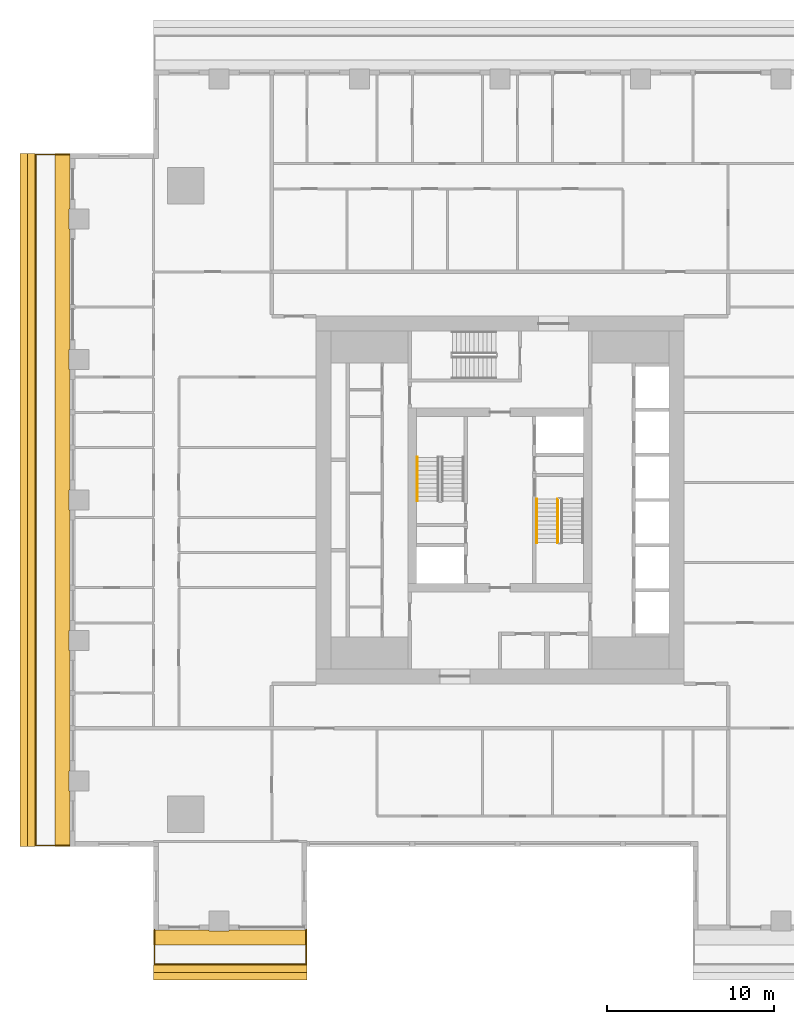
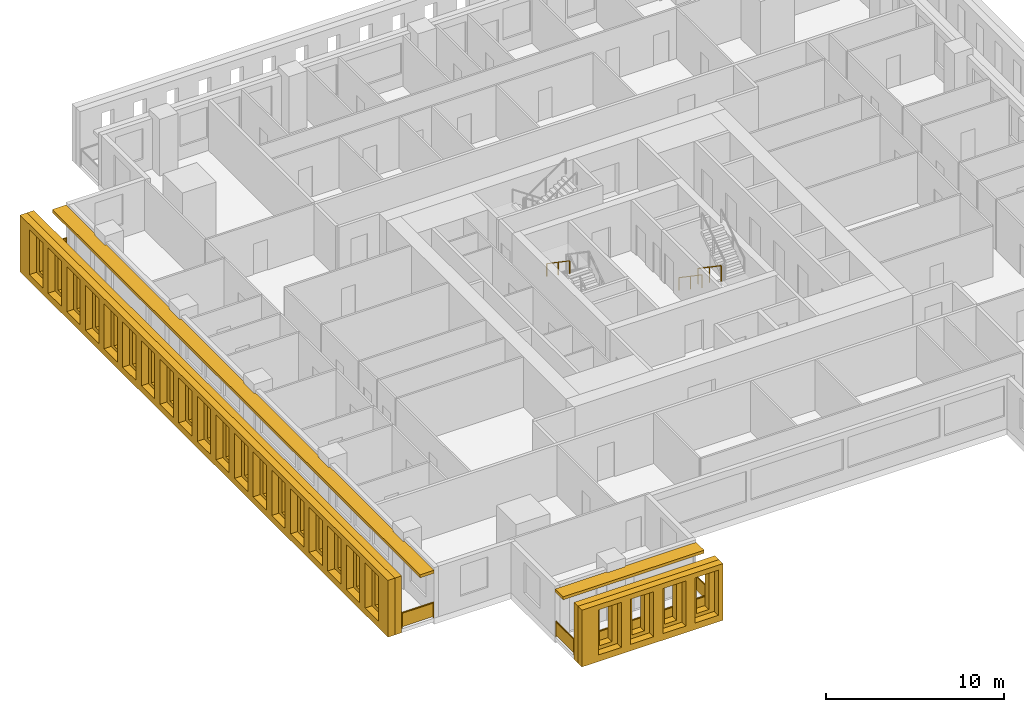
# One storey, part 10 of 14: 6 shading devices, 5 railings.
"""IFC4 building model written with IfcOpenShell, lengths in metres."""

from ifc_helpers import new_model, si_unit, direction, frame, origin, origin_2d, place, context, subcontext, project, spatial, polyline, rectangle, outline, extrude, material, layer, layer_set, type_object, element, save


model = new_model("IFC4")

# Units and contexts
model_context = context("Model", 3, precision=1e-05, world=origin(), true_north=direction((0.0, 1.0)))
body_context = subcontext(model_context, "Body", "Model", "MODEL_VIEW")
ifc_project = project(units=[si_unit("LENGTHUNIT", "METRE"), si_unit("AREAUNIT", "SQUARE_METRE"), si_unit("VOLUMEUNIT", "CUBIC_METRE"), si_unit("PLANEANGLEUNIT", "RADIAN"), si_unit("MASSUNIT", "GRAM", prefix="KILO")], contexts=[model_context])

# Site, building, storey
site_placement = place(None, origin())
site = spatial("IfcSite", under=ifc_project, at=site_placement, CompositionType="ELEMENT")
building_placement = place(site_placement, origin())
building = spatial("IfcBuilding", under=site, at=building_placement, Name="Khepri Terraces", CompositionType="ELEMENT")
storey_placement = place(building_placement, frame((0.0, 0.0, 275.699951171875)))
storey = spatial("IfcBuildingStorey", under=building, at=storey_placement, Name="L66", CompositionType="ELEMENT", Elevation=275.699951171875)

# Railings
ifc_material_1 = material(Name="Stainless steel grade 316", Category="steel")
railing_type_1 = type_object("IfcRailingType", Name="GRD-BAL-1100", PredefinedType="GUARDRAIL", material=ifc_material_1)
railing_1_placement = place(storey_placement, frame((-20.669921875, -25.719970703125, 0.0)))
element("IfcRailing", 1, at=railing_1_placement, inside=storey, type_object=railing_type_1, Name="Balcony guard L66 S", PredefinedType="GUARDRAIL", context=body_context, shape_type="SweptSolid", body=[
    extrude(rectangle(XDim=0.050048828125, YDim=0.06005859375, at=origin_2d()), frame((0.0, 0.0, 1.070068359375), z_axis=(0.0, -1.0, 0.0), x_axis=(1.0, 0.0, 0.0)), (0.0, 0.0, 1.0), 2.050048828125),
    extrude(rectangle(XDim=2.0, YDim=0.011962890625, at=origin_2d()), frame((0.0, -1.02490234375, 0.10009765625), z_axis=(0.0, 0.0, 1.0), x_axis=(0.0, -1.0, 0.0)), (0.0, 0.0, 1.0), 0.93994140625),
    extrude(rectangle(XDim=0.050048828125, YDim=0.06005859375, at=origin_2d()), frame((0.0, -2.050048828125, 1.070068359375), z_axis=(1.0, 0.0, 0.0), x_axis=(0.0, 1.0, 0.0)), (0.0, 0.0, 1.0), 9.06982421875),
    extrude(rectangle(XDim=2.21728515625, YDim=0.011962890625, at=origin_2d()), frame((1.1337890625, -2.050048828125, 0.10009765625), z_axis=(0.0, 0.0, 1.0), x_axis=(1.0, 0.0, 0.0)), (0.0, 0.0, 1.0), 0.93994140625),
    extrude(rectangle(XDim=2.21728515625, YDim=0.011962890625, at=origin_2d()), frame((3.401123046875, -2.050048828125, 0.10009765625), z_axis=(0.0, 0.0, 1.0), x_axis=(1.0, 0.0, 0.0)), (0.0, 0.0, 1.0), 0.93994140625),
    extrude(rectangle(XDim=2.21728515625, YDim=0.011962890625, at=origin_2d()), frame((5.668701171875, -2.050048828125, 0.10009765625), z_axis=(0.0, 0.0, 1.0), x_axis=(1.0, 0.0, 0.0)), (0.0, 0.0, 1.0), 0.93994140625),
    extrude(rectangle(XDim=2.21728515625, YDim=0.011962890625, at=origin_2d()), frame((7.93603515625, -2.050048828125, 0.10009765625), z_axis=(0.0, 0.0, 1.0), x_axis=(1.0, 0.0, 0.0)), (0.0, 0.0, 1.0), 0.93994140625),
    extrude(rectangle(XDim=0.050048828125, YDim=0.06005859375, at=origin_2d()), frame((9.06982421875, -2.050048828125, 1.070068359375), z_axis=(0.0, 1.0, 0.0), x_axis=(-1.0, 0.0, 0.0)), (0.0, 0.0, 1.0), 2.050048828125),
    extrude(rectangle(XDim=2.0, YDim=0.011962890625, at=origin_2d()), frame((9.06982421875, -1.02490234375, 0.10009765625), z_axis=(0.0, 0.0, 1.0), x_axis=(0.0, 1.0, 0.0)), (0.0, 0.0, 1.0), 0.93994140625),
    extrude(rectangle(XDim=0.050048828125, YDim=0.050048828125, at=origin_2d()), origin(), (0.0, 0.0, 1.0), 1.0400390625),
    extrude(rectangle(XDim=0.050048828125, YDim=0.050048828125, at=origin_2d()), frame((0.0, -2.050048828125, 0.0)), (0.0, 0.0, 1.0), 1.0400390625),
    extrude(rectangle(XDim=0.050048828125, YDim=0.050048828125, at=origin_2d()), frame((2.267578125, -2.050048828125, 0.0)), (0.0, 0.0, 1.0), 1.0400390625),
    extrude(rectangle(XDim=0.050048828125, YDim=0.050048828125, at=origin_2d()), frame((4.534912109375, -2.050048828125, 0.0)), (0.0, 0.0, 1.0), 1.0400390625),
    extrude(rectangle(XDim=0.050048828125, YDim=0.050048828125, at=origin_2d()), frame((6.80224609375, -2.050048828125, 0.0)), (0.0, 0.0, 1.0), 1.0400390625),
    extrude(rectangle(XDim=0.050048828125, YDim=0.050048828125, at=origin_2d()), frame((9.06982421875, -2.050048828125, 0.0)), (0.0, 0.0, 1.0), 1.0400390625),
    extrude(rectangle(XDim=0.050048828125, YDim=0.050048828125, at=origin_2d()), frame((9.06982421875, 0.0, 0.0)), (0.0, 0.0, 1.0), 1.0400390625),
])
railing_2_placement = place(storey_placement, frame((-25.719970703125, 20.669921875, 0.0)))
element("IfcRailing", 2, at=railing_2_placement, inside=storey, type_object=railing_type_1, Name="Balcony guard L66 W", PredefinedType="GUARDRAIL", context=body_context, shape_type="SweptSolid", body=[
    extrude(rectangle(XDim=0.050048828125, YDim=0.06005859375, at=origin_2d()), frame((0.0, 0.0, 1.070068359375), z_axis=(-1.0, 0.0, 0.0), x_axis=(0.0, -1.0, 0.0)), (0.0, 0.0, 1.0), 2.050048828125),
    extrude(rectangle(XDim=2.0, YDim=0.011962890625, at=origin_2d()), frame((-1.02490234375, 0.0, 0.10009765625), z_axis=(0.0, 0.0, 1.0), x_axis=(-1.0, 0.0, 0.0)), (0.0, 0.0, 1.0), 0.93994140625),
    extrude(rectangle(XDim=0.050048828125, YDim=0.06005859375, at=origin_2d()), frame((-2.050048828125, 0.0, 1.070068359375), z_axis=(0.0, -1.0, 0.0), x_axis=(1.0, 0.0, 0.0)), (0.0, 0.0, 1.0), 41.33984375),
    extrude(rectangle(XDim=2.24658203125, YDim=0.011962890625, at=origin_2d()), frame((-2.050048828125, -1.1484375, 0.10009765625), z_axis=(0.0, 0.0, 1.0), x_axis=(0.0, -1.0, 0.0)), (0.0, 0.0, 1.0), 0.93994140625),
    extrude(rectangle(XDim=2.24658203125, YDim=0.011962890625, at=origin_2d()), frame((-2.050048828125, -3.445068359375, 0.10009765625), z_axis=(0.0, 0.0, 1.0), x_axis=(0.0, -1.0, 0.0)), (0.0, 0.0, 1.0), 0.93994140625),
    extrude(rectangle(XDim=2.24658203125, YDim=0.011962890625, at=origin_2d()), frame((-2.050048828125, -5.74169921875, 0.10009765625), z_axis=(0.0, 0.0, 1.0), x_axis=(0.0, -1.0, 0.0)), (0.0, 0.0, 1.0), 0.93994140625),
    extrude(rectangle(XDim=2.24658203125, YDim=0.011962890625, at=origin_2d()), frame((-2.050048828125, -8.038330078125, 0.10009765625), z_axis=(0.0, 0.0, 1.0), x_axis=(0.0, -1.0, 0.0)), (0.0, 0.0, 1.0), 0.93994140625),
    extrude(rectangle(XDim=2.24658203125, YDim=0.011962890625, at=origin_2d()), frame((-2.050048828125, -10.3349609375, 0.10009765625), z_axis=(0.0, 0.0, 1.0), x_axis=(0.0, -1.0, 0.0)), (0.0, 0.0, 1.0), 0.93994140625),
    extrude(rectangle(XDim=2.24658203125, YDim=0.011962890625, at=origin_2d()), frame((-2.050048828125, -12.631591796875, 0.10009765625), z_axis=(0.0, 0.0, 1.0), x_axis=(0.0, -1.0, 0.0)), (0.0, 0.0, 1.0), 0.93994140625),
    extrude(rectangle(XDim=2.24658203125, YDim=0.011962890625, at=origin_2d()), frame((-2.050048828125, -14.92822265625, 0.10009765625), z_axis=(0.0, 0.0, 1.0), x_axis=(0.0, -1.0, 0.0)), (0.0, 0.0, 1.0), 0.93994140625),
    extrude(rectangle(XDim=2.24658203125, YDim=0.011962890625, at=origin_2d()), frame((-2.050048828125, -17.224853515625, 0.10009765625), z_axis=(0.0, 0.0, 1.0), x_axis=(0.0, -1.0, 0.0)), (0.0, 0.0, 1.0), 0.93994140625),
    extrude(rectangle(XDim=2.24658203125, YDim=0.011962890625, at=origin_2d()), frame((-2.050048828125, -19.521484375, 0.10009765625), z_axis=(0.0, 0.0, 1.0), x_axis=(0.0, -1.0, 0.0)), (0.0, 0.0, 1.0), 0.93994140625),
    extrude(rectangle(XDim=2.24658203125, YDim=0.011962890625, at=origin_2d()), frame((-2.050048828125, -21.818359375, 0.10009765625), z_axis=(0.0, 0.0, 1.0), x_axis=(0.0, -1.0, 0.0)), (0.0, 0.0, 1.0), 0.93994140625),
    extrude(rectangle(XDim=2.24658203125, YDim=0.011962890625, at=origin_2d()), frame((-2.050048828125, -24.114990234375, 0.10009765625), z_axis=(0.0, 0.0, 1.0), x_axis=(0.0, -1.0, 0.0)), (0.0, 0.0, 1.0), 0.93994140625),
    extrude(rectangle(XDim=2.24658203125, YDim=0.011962890625, at=origin_2d()), frame((-2.050048828125, -26.41162109375, 0.10009765625), z_axis=(0.0, 0.0, 1.0), x_axis=(0.0, -1.0, 0.0)), (0.0, 0.0, 1.0), 0.93994140625),
    extrude(rectangle(XDim=2.24658203125, YDim=0.011962890625, at=origin_2d()), frame((-2.050048828125, -28.708251953125, 0.10009765625), z_axis=(0.0, 0.0, 1.0), x_axis=(0.0, -1.0, 0.0)), (0.0, 0.0, 1.0), 0.93994140625),
    extrude(rectangle(XDim=2.24658203125, YDim=0.011962890625, at=origin_2d()), frame((-2.050048828125, -31.0048828125, 0.10009765625), z_axis=(0.0, 0.0, 1.0), x_axis=(0.0, -1.0, 0.0)), (0.0, 0.0, 1.0), 0.93994140625),
    extrude(rectangle(XDim=2.24658203125, YDim=0.011962890625, at=origin_2d()), frame((-2.050048828125, -33.301513671875, 0.10009765625), z_axis=(0.0, 0.0, 1.0), x_axis=(0.0, -1.0, 0.0)), (0.0, 0.0, 1.0), 0.93994140625),
    extrude(rectangle(XDim=2.24658203125, YDim=0.011962890625, at=origin_2d()), frame((-2.050048828125, -35.59814453125, 0.10009765625), z_axis=(0.0, 0.0, 1.0), x_axis=(0.0, -1.0, 0.0)), (0.0, 0.0, 1.0), 0.93994140625),
    extrude(rectangle(XDim=2.24658203125, YDim=0.011962890625, at=origin_2d()), frame((-2.050048828125, -37.894775390625, 0.10009765625), z_axis=(0.0, 0.0, 1.0), x_axis=(0.0, -1.0, 0.0)), (0.0, 0.0, 1.0), 0.93994140625),
    extrude(rectangle(XDim=2.24658203125, YDim=0.011962890625, at=origin_2d()), frame((-2.050048828125, -40.19140625, 0.10009765625), z_axis=(0.0, 0.0, 1.0), x_axis=(0.0, -1.0, 0.0)), (0.0, 0.0, 1.0), 0.93994140625),
    extrude(rectangle(XDim=0.050048828125, YDim=0.06005859375, at=origin_2d()), frame((-2.050048828125, -41.33984375, 1.070068359375), z_axis=(1.0, 0.0, 0.0), x_axis=(0.0, 1.0, 0.0)), (0.0, 0.0, 1.0), 2.050048828125),
    extrude(rectangle(XDim=2.0, YDim=0.011962890625, at=origin_2d()), frame((-1.02490234375, -41.33984375, 0.10009765625), z_axis=(0.0, 0.0, 1.0), x_axis=(1.0, 0.0, 0.0)), (0.0, 0.0, 1.0), 0.93994140625),
    extrude(rectangle(XDim=0.050048828125, YDim=0.050048828125, at=origin_2d()), origin(), (0.0, 0.0, 1.0), 1.0400390625),
    extrude(rectangle(XDim=0.050048828125, YDim=0.050048828125, at=origin_2d()), frame((-2.050048828125, 0.0, 0.0)), (0.0, 0.0, 1.0), 1.0400390625),
    extrude(rectangle(XDim=0.050048828125, YDim=0.050048828125, at=origin_2d()), frame((-2.050048828125, -2.296630859375, 0.0)), (0.0, 0.0, 1.0), 1.0400390625),
    extrude(rectangle(XDim=0.050048828125, YDim=0.050048828125, at=origin_2d()), frame((-2.050048828125, -4.59326171875, 0.0)), (0.0, 0.0, 1.0), 1.0400390625),
    extrude(rectangle(XDim=0.050048828125, YDim=0.050048828125, at=origin_2d()), frame((-2.050048828125, -6.889892578125, 0.0)), (0.0, 0.0, 1.0), 1.0400390625),
    extrude(rectangle(XDim=0.050048828125, YDim=0.050048828125, at=origin_2d()), frame((-2.050048828125, -9.1865234375, 0.0)), (0.0, 0.0, 1.0), 1.0400390625),
    extrude(rectangle(XDim=0.050048828125, YDim=0.050048828125, at=origin_2d()), frame((-2.050048828125, -11.4833984375, 0.0)), (0.0, 0.0, 1.0), 1.0400390625),
    extrude(rectangle(XDim=0.050048828125, YDim=0.050048828125, at=origin_2d()), frame((-2.050048828125, -13.780029296875, 0.0)), (0.0, 0.0, 1.0), 1.0400390625),
    extrude(rectangle(XDim=0.050048828125, YDim=0.050048828125, at=origin_2d()), frame((-2.050048828125, -16.07666015625, 0.0)), (0.0, 0.0, 1.0), 1.0400390625),
    extrude(rectangle(XDim=0.050048828125, YDim=0.050048828125, at=origin_2d()), frame((-2.050048828125, -18.373291015625, 0.0)), (0.0, 0.0, 1.0), 1.0400390625),
    extrude(rectangle(XDim=0.050048828125, YDim=0.050048828125, at=origin_2d()), frame((-2.050048828125, -20.669921875, 0.0)), (0.0, 0.0, 1.0), 1.0400390625),
    extrude(rectangle(XDim=0.050048828125, YDim=0.050048828125, at=origin_2d()), frame((-2.050048828125, -22.966552734375, 0.0)), (0.0, 0.0, 1.0), 1.0400390625),
    extrude(rectangle(XDim=0.050048828125, YDim=0.050048828125, at=origin_2d()), frame((-2.050048828125, -25.26318359375, 0.0)), (0.0, 0.0, 1.0), 1.0400390625),
    extrude(rectangle(XDim=0.050048828125, YDim=0.050048828125, at=origin_2d()), frame((-2.050048828125, -27.559814453125, 0.0)), (0.0, 0.0, 1.0), 1.0400390625),
    extrude(rectangle(XDim=0.050048828125, YDim=0.050048828125, at=origin_2d()), frame((-2.050048828125, -29.8564453125, 0.0)), (0.0, 0.0, 1.0), 1.0400390625),
    extrude(rectangle(XDim=0.050048828125, YDim=0.050048828125, at=origin_2d()), frame((-2.050048828125, -32.1533203125, 0.0)), (0.0, 0.0, 1.0), 1.0400390625),
    extrude(rectangle(XDim=0.050048828125, YDim=0.050048828125, at=origin_2d()), frame((-2.050048828125, -34.449951171875, 0.0)), (0.0, 0.0, 1.0), 1.0400390625),
    extrude(rectangle(XDim=0.050048828125, YDim=0.050048828125, at=origin_2d()), frame((-2.050048828125, -36.74658203125, 0.0)), (0.0, 0.0, 1.0), 1.0400390625),
    extrude(rectangle(XDim=0.050048828125, YDim=0.050048828125, at=origin_2d()), frame((-2.050048828125, -39.043212890625, 0.0)), (0.0, 0.0, 1.0), 1.0400390625),
    extrude(rectangle(XDim=0.050048828125, YDim=0.050048828125, at=origin_2d()), frame((-2.050048828125, -41.33984375, 0.0)), (0.0, 0.0, 1.0), 1.0400390625),
    extrude(rectangle(XDim=0.050048828125, YDim=0.050048828125, at=origin_2d()), frame((0.0, -41.33984375, 0.0)), (0.0, 0.0, 1.0), 1.0400390625),
])
ifc_material_2 = material(Name="Stainless steel 316", Category="steel")
railing_type_2 = type_object("IfcRailingType", Name="RL-CORE-GUARD", PredefinedType="GUARDRAIL", material=ifc_material_2)
railing_3_placement = place(storey_placement, frame((3.449951171875, 0.050048828125, 0.17724609375)))
element("IfcRailing", 3, at=railing_3_placement, inside=storey, type_object=railing_type_2, Name="L66 ST-2 stair guard 1", PredefinedType="GUARDRAIL", context=body_context, shape_type="SweptSolid", body=[
    extrude(rectangle(XDim=0.050048828125, YDim=0.06005859375, at=origin_2d()), frame((0.0, 0.0, 1.070068359375), z_axis=(0.0, -0.826240473404, 0.563317565952), x_axis=(1.0, 0.0, 0.0)), (0.0, 0.0, 1.0), 3.14697265625),
    extrude(rectangle(XDim=0.050048828125, YDim=0.050048828125, at=origin_2d()), origin(), (0.0, 0.0, 1.0), 1.0400390625),
    extrude(rectangle(XDim=0.050048828125, YDim=0.050048828125, at=origin_2d()), frame((0.0, -1.300048828125, 0.88623046875)), (0.0, 0.0, 1.0), 1.0400390625),
    extrude(rectangle(XDim=0.050048828125, YDim=0.050048828125, at=origin_2d()), frame((0.0, -2.60009765625, 1.772705078125)), (0.0, 0.0, 1.0), 1.0400390625),
])
railing_type_3 = type_object("IfcRailingType", Name="RL-CORE-HANDRAIL", PredefinedType="HANDRAIL", material=ifc_material_2)
for number, where, name in (
    (4, (-4.949951171875, 2.550048828125, 2.12744140625), "L66 ST-1 stair handrail 2"),
    (5, (2.199951171875, 0.050048828125, 0.17724609375), "L66 ST-2 stair handrail 1"),
):
    element("IfcRailing", number, at=place(storey_placement, frame(where)), inside=storey, type_object=railing_type_3, Name=name, PredefinedType="HANDRAIL", context=body_context, shape_type="SweptSolid", body=[
        extrude(rectangle(XDim=0.050048828125, YDim=0.050048828125, at=origin_2d()), frame((0.0, 0.0, 0.875), z_axis=(0.0, -0.826240473404, 0.563317565952), x_axis=(1.0, 0.0, 0.0)), (0.0, 0.0, 1.0), 3.14697265625),
        extrude(rectangle(XDim=0.050048828125, YDim=0.050048828125, at=origin_2d()), origin(), (0.0, 0.0, 1.0), 0.849853515625),
        extrude(rectangle(XDim=0.050048828125, YDim=0.050048828125, at=origin_2d()), frame((0.0, -1.300048828125, 0.88623046875)), (0.0, 0.0, 1.0), 0.849853515625),
        extrude(rectangle(XDim=0.050048828125, YDim=0.050048828125, at=origin_2d()), frame((0.0, -2.60009765625, 1.772705078125)), (0.0, 0.0, 1.0), 0.849853515625),
    ])

# Shading devices
ifc_material_3 = material(Name="Precast concrete C50/60 warm stone", Category="masonry")
shading_device_type_1 = type_object("IfcShadingDeviceType", Name="SCR-CELL-INNER-450", PredefinedType="USERDEFINED", material=ifc_material_3)
shading_device_1_placement = place(storey_placement, frame((-20.719970703125, -27.820068359375, -0.25), z_axis=(0.0, -1.0, 0.0), x_axis=(1.0, 0.0, 0.0)))
element("IfcShadingDevice", 6, at=shading_device_1_placement, inside=storey, type_object=shading_device_type_1, Name="Cell screen L66 S in", ObjectType="SCREEN", PredefinedType="USERDEFINED", context=body_context, shape_type="SweptSolid", body=[
    extrude(outline(polyline([(0.0, 0.0), (9.169921875, 0.0), (9.169921875, 3.89990234375), (0.0, 3.89990234375), (0.0, 0.0)]), holes=[polyline([(1.41845703125, 0.699951171875), (2.2216796875, 0.699951171875), (2.2216796875, 3.300048828125), (1.41845703125, 3.300048828125), (1.41845703125, 0.699951171875)]), polyline([(3.518310546875, 0.699951171875), (4.321533203125, 0.699951171875), (4.321533203125, 3.300048828125), (3.518310546875, 3.300048828125), (3.518310546875, 0.699951171875)]), polyline([(5.618408203125, 0.699951171875), (6.421630859375, 0.699951171875), (6.421630859375, 3.300048828125), (5.618408203125, 3.300048828125), (5.618408203125, 0.699951171875)]), polyline([(7.718505859375, 0.699951171875), (8.521484375, 0.699951171875), (8.521484375, 3.300048828125), (7.718505859375, 3.300048828125), (7.718505859375, 0.699951171875)])]), origin(), (0.0, 0.0, 1.0), 0.449951171875),
])
shading_device_2_placement = place(storey_placement, frame((-27.820068359375, 20.719970703125, -0.25), z_axis=(-1.0, 0.0, 0.0), x_axis=(0.0, -1.0, 0.0)))
element("IfcShadingDevice", 7, at=shading_device_2_placement, inside=storey, type_object=shading_device_type_1, Name="Cell screen L66 W in", ObjectType="SCREEN", PredefinedType="USERDEFINED", context=body_context, shape_type="SweptSolid", body=[
    extrude(outline(polyline([(0.0, 0.0), (41.43994140625, 0.0), (41.43994140625, 3.89990234375), (0.0, 3.89990234375), (0.0, 0.0)]), holes=[polyline([(1.41845703125, 0.699951171875), (2.2216796875, 0.699951171875), (2.2216796875, 3.300048828125), (1.41845703125, 3.300048828125), (1.41845703125, 0.699951171875)]), polyline([(3.518310546875, 0.699951171875), (4.321533203125, 0.699951171875), (4.321533203125, 3.300048828125), (3.518310546875, 3.300048828125), (3.518310546875, 0.699951171875)]), polyline([(5.618408203125, 0.699951171875), (6.421630859375, 0.699951171875), (6.421630859375, 3.300048828125), (5.618408203125, 3.300048828125), (5.618408203125, 0.699951171875)]), polyline([(7.718505859375, 0.699951171875), (8.521484375, 0.699951171875), (8.521484375, 3.300048828125), (7.718505859375, 3.300048828125), (7.718505859375, 0.699951171875)]), polyline([(9.818359375, 0.699951171875), (10.62158203125, 0.699951171875), (10.62158203125, 3.300048828125), (9.818359375, 3.300048828125), (9.818359375, 0.699951171875)]), polyline([(11.91845703125, 0.699951171875), (12.7216796875, 0.699951171875), (12.7216796875, 3.300048828125), (11.91845703125, 3.300048828125), (11.91845703125, 0.699951171875)]), polyline([(14.018310546875, 0.699951171875), (14.821533203125, 0.699951171875), (14.821533203125, 3.300048828125), (14.018310546875, 3.300048828125), (14.018310546875, 0.699951171875)]), polyline([(16.118408203125, 0.699951171875), (16.921630859375, 0.699951171875), (16.921630859375, 3.300048828125), (16.118408203125, 3.300048828125), (16.118408203125, 0.699951171875)]), polyline([(18.218505859375, 0.699951171875), (19.021484375, 0.699951171875), (19.021484375, 3.300048828125), (18.218505859375, 3.300048828125), (18.218505859375, 0.699951171875)]), polyline([(20.318359375, 0.699951171875), (21.12158203125, 0.699951171875), (21.12158203125, 3.300048828125), (20.318359375, 3.300048828125), (20.318359375, 0.699951171875)]), polyline([(22.41845703125, 0.699951171875), (23.2216796875, 0.699951171875), (23.2216796875, 3.300048828125), (22.41845703125, 3.300048828125), (22.41845703125, 0.699951171875)]), polyline([(24.518310546875, 0.699951171875), (25.321533203125, 0.699951171875), (25.321533203125, 3.300048828125), (24.518310546875, 3.300048828125), (24.518310546875, 0.699951171875)]), polyline([(26.618408203125, 0.699951171875), (27.421630859375, 0.699951171875), (27.421630859375, 3.300048828125), (26.618408203125, 3.300048828125), (26.618408203125, 0.699951171875)]), polyline([(28.718505859375, 0.699951171875), (29.521484375, 0.699951171875), (29.521484375, 3.300048828125), (28.718505859375, 3.300048828125), (28.718505859375, 0.699951171875)]), polyline([(30.818359375, 0.699951171875), (31.62158203125, 0.699951171875), (31.62158203125, 3.300048828125), (30.818359375, 3.300048828125), (30.818359375, 0.699951171875)]), polyline([(32.91845703125, 0.699951171875), (33.7216796875, 0.699951171875), (33.7216796875, 3.300048828125), (32.91845703125, 3.300048828125), (32.91845703125, 0.699951171875)]), polyline([(35.018310546875, 0.699951171875), (35.821533203125, 0.699951171875), (35.821533203125, 3.300048828125), (35.018310546875, 3.300048828125), (35.018310546875, 0.699951171875)]), polyline([(37.118408203125, 0.699951171875), (37.921630859375, 0.699951171875), (37.921630859375, 3.300048828125), (37.118408203125, 3.300048828125), (37.118408203125, 0.699951171875)]), polyline([(39.218505859375, 0.699951171875), (40.021484375, 0.699951171875), (40.021484375, 3.300048828125), (39.218505859375, 3.300048828125), (39.218505859375, 0.699951171875)])]), origin(), (0.0, 0.0, 1.0), 0.449951171875),
])
shading_device_type_2 = type_object("IfcShadingDeviceType", Name="SCR-CELL-OUTER-450", PredefinedType="USERDEFINED", material=ifc_material_3)
shading_device_3_placement = place(storey_placement, frame((-20.719970703125, -28.27001953125, -0.25), z_axis=(0.0, -1.0, 0.0), x_axis=(1.0, 0.0, 0.0)))
element("IfcShadingDevice", 8, at=shading_device_3_placement, inside=storey, type_object=shading_device_type_2, Name="Cell screen L66 S out", ObjectType="SCREEN", PredefinedType="USERDEFINED", context=body_context, shape_type="SweptSolid", body=[
    extrude(outline(polyline([(0.0, 0.0), (9.169921875, 0.0), (9.169921875, 3.89990234375), (0.0, 3.89990234375), (0.0, 0.0)]), holes=[polyline([(1.068359375, 0.449951171875), (2.571533203125, 0.449951171875), (2.571533203125, 3.550048828125), (1.068359375, 3.550048828125), (1.068359375, 0.449951171875)]), polyline([(3.16845703125, 0.449951171875), (4.671630859375, 0.449951171875), (4.671630859375, 3.550048828125), (3.16845703125, 3.550048828125), (3.16845703125, 0.449951171875)]), polyline([(5.268310546875, 0.449951171875), (6.771484375, 0.449951171875), (6.771484375, 3.550048828125), (5.268310546875, 3.550048828125), (5.268310546875, 0.449951171875)]), polyline([(7.368408203125, 0.449951171875), (8.87158203125, 0.449951171875), (8.87158203125, 3.550048828125), (7.368408203125, 3.550048828125), (7.368408203125, 0.449951171875)])]), origin(), (0.0, 0.0, 1.0), 0.449951171875),
])
shading_device_4_placement = place(storey_placement, frame((-28.27001953125, 20.719970703125, -0.25), z_axis=(-1.0, 0.0, 0.0), x_axis=(0.0, -1.0, 0.0)))
element("IfcShadingDevice", 9, at=shading_device_4_placement, inside=storey, type_object=shading_device_type_2, Name="Cell screen L66 W out", ObjectType="SCREEN", PredefinedType="USERDEFINED", context=body_context, shape_type="SweptSolid", body=[
    extrude(outline(polyline([(0.0, 0.0), (41.43994140625, 0.0), (41.43994140625, 3.89990234375), (0.0, 3.89990234375), (0.0, 0.0)]), holes=[polyline([(1.068359375, 0.449951171875), (2.571533203125, 0.449951171875), (2.571533203125, 3.550048828125), (1.068359375, 3.550048828125), (1.068359375, 0.449951171875)]), polyline([(3.16845703125, 0.449951171875), (4.671630859375, 0.449951171875), (4.671630859375, 3.550048828125), (3.16845703125, 3.550048828125), (3.16845703125, 0.449951171875)]), polyline([(5.268310546875, 0.449951171875), (6.771484375, 0.449951171875), (6.771484375, 3.550048828125), (5.268310546875, 3.550048828125), (5.268310546875, 0.449951171875)]), polyline([(7.368408203125, 0.449951171875), (8.87158203125, 0.449951171875), (8.87158203125, 3.550048828125), (7.368408203125, 3.550048828125), (7.368408203125, 0.449951171875)]), polyline([(9.468505859375, 0.449951171875), (10.9716796875, 0.449951171875), (10.9716796875, 3.550048828125), (9.468505859375, 3.550048828125), (9.468505859375, 0.449951171875)]), polyline([(11.568359375, 0.449951171875), (13.071533203125, 0.449951171875), (13.071533203125, 3.550048828125), (11.568359375, 3.550048828125), (11.568359375, 0.449951171875)]), polyline([(13.66845703125, 0.449951171875), (15.171630859375, 0.449951171875), (15.171630859375, 3.550048828125), (13.66845703125, 3.550048828125), (13.66845703125, 0.449951171875)]), polyline([(15.768310546875, 0.449951171875), (17.271484375, 0.449951171875), (17.271484375, 3.550048828125), (15.768310546875, 3.550048828125), (15.768310546875, 0.449951171875)]), polyline([(17.868408203125, 0.449951171875), (19.37158203125, 0.449951171875), (19.37158203125, 3.550048828125), (17.868408203125, 3.550048828125), (17.868408203125, 0.449951171875)]), polyline([(19.968505859375, 0.449951171875), (21.4716796875, 0.449951171875), (21.4716796875, 3.550048828125), (19.968505859375, 3.550048828125), (19.968505859375, 0.449951171875)]), polyline([(22.068359375, 0.449951171875), (23.571533203125, 0.449951171875), (23.571533203125, 3.550048828125), (22.068359375, 3.550048828125), (22.068359375, 0.449951171875)]), polyline([(24.16845703125, 0.449951171875), (25.671630859375, 0.449951171875), (25.671630859375, 3.550048828125), (24.16845703125, 3.550048828125), (24.16845703125, 0.449951171875)]), polyline([(26.268310546875, 0.449951171875), (27.771484375, 0.449951171875), (27.771484375, 3.550048828125), (26.268310546875, 3.550048828125), (26.268310546875, 0.449951171875)]), polyline([(28.368408203125, 0.449951171875), (29.87158203125, 0.449951171875), (29.87158203125, 3.550048828125), (28.368408203125, 3.550048828125), (28.368408203125, 0.449951171875)]), polyline([(30.468505859375, 0.449951171875), (31.9716796875, 0.449951171875), (31.9716796875, 3.550048828125), (30.468505859375, 3.550048828125), (30.468505859375, 0.449951171875)]), polyline([(32.568359375, 0.449951171875), (34.071533203125, 0.449951171875), (34.071533203125, 3.550048828125), (32.568359375, 3.550048828125), (32.568359375, 0.449951171875)]), polyline([(34.66845703125, 0.449951171875), (36.171630859375, 0.449951171875), (36.171630859375, 3.550048828125), (34.66845703125, 3.550048828125), (34.66845703125, 0.449951171875)]), polyline([(36.768310546875, 0.449951171875), (38.271484375, 0.449951171875), (38.271484375, 3.550048828125), (36.768310546875, 3.550048828125), (36.768310546875, 0.449951171875)]), polyline([(38.868408203125, 0.449951171875), (40.37158203125, 0.449951171875), (40.37158203125, 3.550048828125), (38.868408203125, 3.550048828125), (38.868408203125, 0.449951171875)])]), origin(), (0.0, 0.0, 1.0), 0.449951171875),
])
ifc_layer = layer(ifc_material_3, 0.199951171875, Name="Precast concrete C50/60 warm stone", Category="masonry")
ifc_layer_set = layer_set([ifc_layer], Name="Precast concrete C50/60 warm stone")
shading_device_type_3 = type_object("IfcShadingDeviceType", Name="SSH-BAND-STONE-200", PredefinedType="USERDEFINED", material=ifc_layer_set)
shading_device_5_placement = place(storey_placement, frame((0.0, 0.0, 3.10009765625)))
element("IfcShadingDevice", 10, at=shading_device_5_placement, inside=storey, type_object=shading_device_type_3, Name="Sunshade band L66 S", ObjectType="SUNSHADE", PredefinedType="USERDEFINED", context=body_context, shape_type="SweptSolid", body=[
    extrude(outline(polyline([(-17.39990234375, -25.719970703125), (-20.719970703125, -25.719970703125), (-20.719970703125, -26.6201171875), (-11.550048828125, -26.6201171875), (-11.550048828125, -25.719970703125), (-16.199951171875, -25.719970703125), (-16.199951171875, -25.800048828125), (-17.39990234375, -25.800048828125), (-17.39990234375, -25.719970703125)])), origin(), (0.0, 0.0, 1.0), 0.199951171875),
])
shading_device_6_placement = place(storey_placement, frame((0.0, 0.0, 3.10009765625)))
element("IfcShadingDevice", 11, at=shading_device_6_placement, inside=storey, type_object=shading_device_type_3, Name="Sunshade band L66 W", ObjectType="SUNSHADE", PredefinedType="USERDEFINED", context=body_context, shape_type="SweptSolid", body=[
    extrude(outline(polyline([(-25.719970703125, 17.39990234375), (-25.719970703125, 20.719970703125), (-26.6201171875, 20.719970703125), (-26.6201171875, -20.719970703125), (-25.719970703125, -20.719970703125), (-25.719970703125, -17.39990234375), (-25.800048828125, -17.39990234375), (-25.800048828125, -16.199951171875), (-25.719970703125, -16.199951171875), (-25.719970703125, -9.0), (-25.800048828125, -9.0), (-25.800048828125, -7.800048828125), (-25.719970703125, -7.800048828125), (-25.719970703125, -0.60009765625), (-25.800048828125, -0.60009765625), (-25.800048828125, 0.60009765625), (-25.719970703125, 0.60009765625), (-25.719970703125, 7.800048828125), (-25.800048828125, 7.800048828125), (-25.800048828125, 9.0), (-25.719970703125, 9.0), (-25.719970703125, 16.199951171875), (-25.800048828125, 16.199951171875), (-25.800048828125, 17.39990234375), (-25.719970703125, 17.39990234375)])), origin(), (0.0, 0.0, 1.0), 0.199951171875),
])

save(model, "model.ifc")
